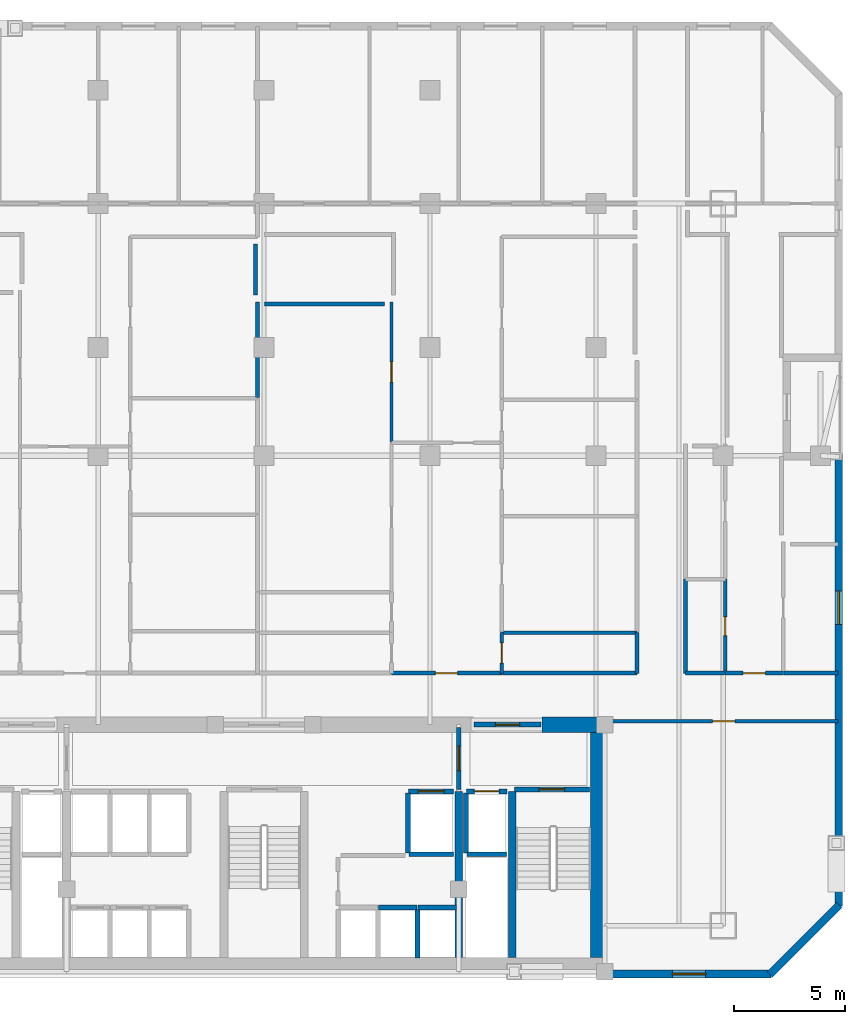
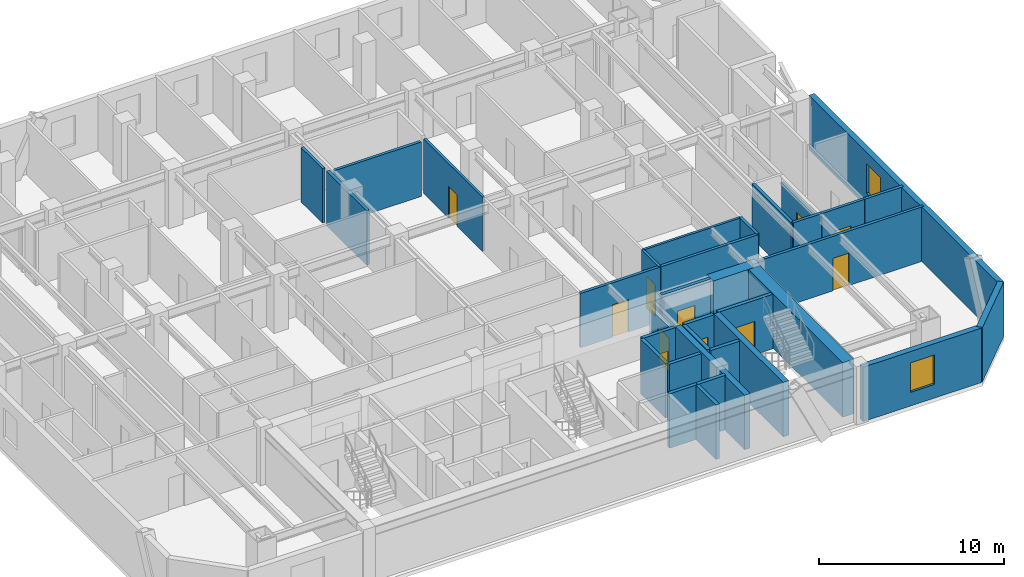
# One storey, part 5 of 10: 34 walls, 11 doors, 2 windows, 13 openings.
"""IFC4 building model written with IfcOpenShell, lengths in metres."""

from ifc_helpers import new_model, si_unit, direction, frame, frame_2d, origin, place, context, subcontext, project, spatial, rectangle, extrude, material, layer, layer_set, type_object, element, fill, save


model = new_model("IFC4")

# Units and contexts
model_context = context("Model", 3, precision=1e-05, world=origin(), true_north=direction((0.0, 1.0)))
body_context = subcontext(model_context, "Body", "Model", "MODEL_VIEW")
ifc_project = project(units=[si_unit("LENGTHUNIT", "METRE"), si_unit("AREAUNIT", "SQUARE_METRE"), si_unit("VOLUMEUNIT", "CUBIC_METRE"), si_unit("PLANEANGLEUNIT", "RADIAN"), si_unit("MASSUNIT", "GRAM", prefix="KILO")], contexts=[model_context])

# Site, building, storey
site_placement = place(None, origin())
site = spatial("IfcSite", under=ifc_project, at=site_placement, CompositionType="ELEMENT")
building_placement = place(site_placement, origin())
building = spatial("IfcBuilding", under=site, at=building_placement, Name="Ventersveld Concourse Tower", CompositionType="ELEMENT")
storey_placement = place(building_placement, frame((0.0, 0.0, 96.449951171875)))
storey = spatial("IfcBuildingStorey", under=building, at=storey_placement, Name="L23", CompositionType="ELEMENT", Elevation=96.449951171875)

# Walls
ifc_material_1 = material(Name="Concrete C60/75", Category="concrete")
ifc_layer_1 = layer(ifc_material_1, 0.35009765625)
ifc_layer_set_1 = layer_set([ifc_layer_1], Name="Concrete C60/75")
wall_type_1 = type_object("IfcWallType", Name="WL-CORE-350L", PredefinedType="SHEAR", material=ifc_layer_set_1)
for number, where, z_axis, x_axis, name in (
    (1, (37.550048828125, 0.919921875, 0.0), (0.0, 0.0, 1.0), (0.0, 1.0, 0.0), "L23 Core Internal Shear Web W-SVL-W"),
    (2, (39.9599609375, 0.919921875, 0.0), (0.0, 0.0, 1.0), (0.0, 1.0, 0.0), "L23 Core Internal Shear Web W-ST2-W"),
):
    element("IfcWall", number, at=place(storey_placement, frame(where, z_axis=z_axis, x_axis=x_axis)), inside=storey, type_object=wall_type_1, Name=name, PredefinedType="SHEAR", context=body_context, shape_type="SweptSolid", body=[
        extrude(rectangle(XDim=7.5, YDim=0.35009765625, at=frame_2d((3.75, 0.0))), origin(), (0.0, 0.0, 1.0), 3.60009765625),
    ])
ifc_layer_2 = layer(ifc_material_1, 0.699951171875)
ifc_layer_set_2 = layer_set([ifc_layer_2], Name="Concrete C60/75")
wall_type_2 = type_object("IfcWallType", Name="WL-CORE-700", PredefinedType="SHEAR", material=ifc_layer_set_2)
wall_1_placement = place(storey_placement, frame((43.85009765625, 0.919921875, 0.0), z_axis=(0.0, 0.0, 1.0), x_axis=(0.0, 1.0, 0.0)))
element("IfcWall", 3, at=wall_1_placement, inside=storey, type_object=wall_type_2, Name="L23 Rear Core East Shear Wall", PredefinedType="SHEAR", context=body_context, shape_type="SweptSolid", body=[
    extrude(rectangle(XDim=10.530029296875, YDim=0.699951171875, at=frame_2d((5.26513671875, 0.0))), origin(), (0.0, 0.0, 1.0), 3.60009765625),
])
wall_2_placement = place(storey_placement, frame((41.300048828125, 11.449951171875, 0.0), z_axis=(0.0, 0.0, 1.0), x_axis=(1.0, 0.0, 0.0)))
element("IfcWall", 4, at=wall_2_placement, inside=storey, type_object=wall_type_2, Name="L23 Rear Core North Shear Wall NE", PredefinedType="SHEAR", context=body_context, shape_type="SweptSolid", body=[
    extrude(rectangle(XDim=2.949951171875, YDim=0.699951171875, at=frame_2d((1.47509765625, 0.0))), origin(), (0.0, 0.0, 1.0), 3.60009765625),
])

# Wall, opening, door
ifc_material_2 = material(Name="Fire-rated autoclaved aerated masonry blockwork", Category="masonry")
ifc_layer_3 = layer(ifc_material_2, 0.179931640625)
ifc_layer_set_3 = layer_set([ifc_layer_3], Name="Fire-rated autoclaved aerated masonry blockwork")
wall_type_3 = type_object("IfcWallType", Name="WL-CORR-180", PredefinedType="PARTITIONING", material=ifc_layer_set_3)
wall_3_placement = place(storey_placement, frame((44.35498046875, 11.60009765625, 0.0), z_axis=(0.0, 0.0, 1.0), x_axis=(1.0, 0.0, 0.0)))
wall_3 = element("IfcWall", 5, at=wall_3_placement, inside=storey, type_object=wall_type_3, Name="L23 Interior Partition SP-L23-SE-OFF-SP-L23-COR", PredefinedType="PARTITIONING", context=body_context, shape_type="SweptSolid", body=[
    extrude(rectangle(XDim=10.3349609375, YDim=0.179931640625, at=frame_2d((5.16748046875, 0.0))), origin(), (0.0, 0.0, 1.0), 3.60009765625),
])
opening_1_placement = place(wall_3_placement, frame((4.66748046875, 0.0, 0.0)))
opening_1 = element("IfcOpeningElement", 6, at=opening_1_placement, cuts=wall_3, Name="Opening FD3", PredefinedType="OPENING", context=body_context, shape_type="SweptSolid", body=[
    extrude(rectangle(XDim=1.0, YDim=2.14990234375, at=frame_2d((0.5, 1.074951171875))), frame((0.0, 0.10009765625, 0.0), z_axis=(0.0, -1.0, 0.0), x_axis=(1.0, 0.0, 0.0)), (0.0, 0.0, 1.0), 0.199951171875),
])
ifc_material_3 = material(Name="Solid-core hardwood veneer timber", Category="wood")
door_type_1 = type_object("IfcDoorType", Name="DR-FLAT-100", OperationType="NOTDEFINED", PredefinedType="DOOR", material=ifc_material_3)
door_1_placement = place(opening_1_placement, origin())
door_1 = element("IfcDoor", 7, at=door_1_placement, inside=storey, type_object=door_type_1, Name="L23 Interior Door SP-L23-SE-OFF to SP-L23-COR (D-L23-1117)", OperationType="SINGLE_SWING_LEFT", OverallHeight=2.14990234375, OverallWidth=1.0, PredefinedType="DOOR", context=body_context, shape_type="SweptSolid", body=[
    extrude(rectangle(XDim=1.0, YDim=2.14990234375, at=frame_2d((0.5, 1.074951171875))), frame((0.0, 0.02490234375, 0.0), z_axis=(0.0, -1.0, 0.0), x_axis=(1.0, 0.0, 0.0)), (0.0, 0.0, 1.0), 0.050048828125),
])
fill(opening_1, door_1)

wall_4_placement = place(storey_placement, frame((49.586669921875, 13.77001953125, 0.0), z_axis=(0.0, 0.0, 1.0), x_axis=(1.0, 0.0, 0.0)))
wall_4 = element("IfcWall", 8, at=wall_4_placement, inside=storey, type_object=wall_type_3, Name="L23 Interior Partition SP-L23-COR-SP-L23-23NE-LIV", PredefinedType="PARTITIONING", context=body_context, shape_type="SweptSolid", body=[
    extrude(rectangle(XDim=2.635986328125, YDim=0.179931640625, at=frame_2d((1.31787109375, 0.0))), origin(), (0.0, 0.0, 1.0), 3.60009765625),
])
opening_2_placement = place(wall_4_placement, frame((0.818115234375, 0.0, 0.0)))
opening_2 = element("IfcOpeningElement", 9, at=opening_2_placement, cuts=wall_4, Name="Opening FD3", PredefinedType="OPENING", context=body_context, shape_type="SweptSolid", body=[
    extrude(rectangle(XDim=1.0, YDim=2.14990234375, at=frame_2d((0.5, 1.074951171875))), frame((0.0, 0.10009765625, 0.0), z_axis=(0.0, -1.0, 0.0), x_axis=(1.0, 0.0, 0.0)), (0.0, 0.0, 1.0), 0.199951171875),
])
door_2_placement = place(opening_2_placement, origin())
door_2 = element("IfcDoor", 10, at=door_2_placement, inside=storey, type_object=door_type_1, Name="L23 Interior Door SP-L23-COR to SP-L23-23NE-LIV (FD-L23-1119)", OperationType="SINGLE_SWING_LEFT", OverallHeight=2.14990234375, OverallWidth=1.0, PredefinedType="DOOR", context=body_context, shape_type="SweptSolid", body=[
    extrude(rectangle(XDim=1.0, YDim=2.14990234375, at=frame_2d((0.5, 1.074951171875))), frame((0.0, 0.02490234375, 0.0), z_axis=(0.0, -1.0, 0.0), x_axis=(1.0, 0.0, 0.0)), (0.0, 0.0, 1.0), 0.050048828125),
])
fill(opening_2, door_2)

# Walls
wall_5_placement = place(storey_placement, frame((47.7900390625, 13.764892578125, 0.0), z_axis=(0.0, 0.0, 1.0), x_axis=(0.0, 1.0, 0.0)))
element("IfcWall", 11, at=wall_5_placement, inside=storey, type_object=wall_type_3, Name="L23 Interior Partition SP-L23-COR-SP-L23-23NE-BATH", PredefinedType="PARTITIONING", context=body_context, shape_type="SweptSolid", body=[
    extrude(rectangle(XDim=4.26025390625, YDim=0.179931640625, at=frame_2d((2.130126953125, 0.0))), origin(), (0.0, 0.0, 1.0), 3.60009765625),
])
wall_6_placement = place(storey_placement, frame((47.784912109375, 13.77001953125, 0.0), z_axis=(0.0, 0.0, 1.0), x_axis=(1.0, 0.0, 0.0)))
element("IfcWall", 12, at=wall_6_placement, inside=storey, type_object=wall_type_3, Name="L23 Interior Partition SP-L23-COR-SP-L23-23NE-BATH", PredefinedType="PARTITIONING", context=body_context, shape_type="SweptSolid", body=[
    extrude(rectangle(XDim=1.771728515625, YDim=0.179931640625, at=frame_2d((0.8857421875, 0.0))), origin(), (0.0, 0.0, 1.0), 3.60009765625),
])
wall_7_placement = place(storey_placement, frame((52.252685546875, 13.77001953125, 0.0), z_axis=(0.0, 0.0, 1.0), x_axis=(1.0, 0.0, 0.0)))
element("IfcWall", 13, at=wall_7_placement, inside=storey, type_object=wall_type_3, Name="L23 Interior Partition SP-L23-COR-SP-L23-23NE-KIT", PredefinedType="PARTITIONING", context=body_context, shape_type="SweptSolid", body=[
    extrude(rectangle(XDim=2.437255859375, YDim=0.179931640625, at=frame_2d((1.21875, 0.0))), origin(), (0.0, 0.0, 1.0), 3.60009765625),
])

# Wall, opening, door
wall_8_placement = place(storey_placement, frame((34.501220703125, 13.77001953125, 0.0), z_axis=(0.0, 0.0, 1.0), x_axis=(1.0, 0.0, 0.0)))
wall_8 = element("IfcWall", 14, at=wall_8_placement, inside=storey, type_object=wall_type_3, Name="L23 Interior Partition SP-L23-COR-SP-L23-23N2-FOY", PredefinedType="PARTITIONING", context=body_context, shape_type="SweptSolid", body=[
    extrude(rectangle(XDim=4.989990234375, YDim=0.179931640625, at=frame_2d((2.4951171875, 0.0))), origin(), (0.0, 0.0, 1.0), 3.60009765625),
])
opening_3_placement = place(wall_8_placement, frame((1.9951171875, 0.0, 0.0)))
opening_3 = element("IfcOpeningElement", 15, at=opening_3_placement, cuts=wall_8, Name="Opening FD3", PredefinedType="OPENING", context=body_context, shape_type="SweptSolid", body=[
    extrude(rectangle(XDim=1.0, YDim=2.14990234375, at=frame_2d((0.5, 1.074951171875))), frame((0.0, 0.10009765625, 0.0), z_axis=(0.0, -1.0, 0.0), x_axis=(1.0, 0.0, 0.0)), (0.0, 0.0, 1.0), 0.199951171875),
])
door_3_placement = place(opening_3_placement, origin())
door_3 = element("IfcDoor", 16, at=door_3_placement, inside=storey, type_object=door_type_1, Name="L23 Interior Door SP-L23-COR to SP-L23-23N2-FOY (FD-L23-1121)", OperationType="SINGLE_SWING_LEFT", OverallHeight=2.14990234375, OverallWidth=1.0, PredefinedType="DOOR", context=body_context, shape_type="SweptSolid", body=[
    extrude(rectangle(XDim=1.0, YDim=2.14990234375, at=frame_2d((0.5, 1.074951171875))), frame((0.0, 0.02490234375, 0.0), z_axis=(0.0, -1.0, 0.0), x_axis=(1.0, 0.0, 0.0)), (0.0, 0.0, 1.0), 0.050048828125),
])
fill(opening_3, door_3)

# Walls
wall_9_placement = place(storey_placement, frame((39.52099609375, 13.77001953125, 0.0), z_axis=(0.0, 0.0, 1.0), x_axis=(1.0, 0.0, 0.0)))
element("IfcWall", 17, at=wall_9_placement, inside=storey, type_object=wall_type_3, Name="L23 Interior Partition SP-L23-COR-SP-L23-23N2-KIT", PredefinedType="PARTITIONING", context=body_context, shape_type="SweptSolid", body=[
    extrude(rectangle(XDim=6.093994140625, YDim=0.179931640625, at=frame_2d((3.046875, 0.0))), origin(), (0.0, 0.0, 1.0), 3.60009765625),
])
wall_10_placement = place(storey_placement, frame((45.610107421875, 13.764892578125, 0.0), z_axis=(0.0, 0.0, 1.0), x_axis=(0.0, 1.0, 0.0)))
element("IfcWall", 18, at=wall_10_placement, inside=storey, type_object=wall_type_3, Name="L23 Interior Partition SP-L23-COR-SP-L23-23N2-KIT", PredefinedType="PARTITIONING", context=body_context, shape_type="SweptSolid", body=[
    extrude(rectangle(XDim=1.840087890625, YDim=0.179931640625, at=frame_2d((0.919921875, 0.0))), origin(), (0.0, 0.0, 1.0), 3.60009765625),
])
wall_11_placement = place(storey_placement, frame((28.36279296875, 33.175048828125, 0.0), z_axis=(0.0, 0.0, 1.0), x_axis=(0.0, -1.0, 0.0)))
element("IfcWall", 19, at=wall_11_placement, inside=storey, type_object=wall_type_3, Name="L23 Room Enclosure Wall SP-L23-23N1-DENS2", PredefinedType="PARTITIONING", context=body_context, shape_type="SweptSolid", body=[
    extrude(rectangle(XDim=2.304931640625, YDim=0.179931640625, at=frame_2d((1.15234375, 0.0))), origin(), (0.0, 0.0, 1.0), 3.60009765625),
])
wall_12_placement = place(storey_placement, frame((28.77783203125, 30.460205078125, 0.0), z_axis=(0.0, 0.0, 1.0), x_axis=(1.0, 0.0, 0.0)))
element("IfcWall", 20, at=wall_12_placement, inside=storey, type_object=wall_type_3, Name="L23 Room Enclosure Wall SP-L23-23N2-DENL", PredefinedType="PARTITIONING", context=body_context, shape_type="SweptSolid", body=[
    extrude(rectangle(XDim=5.4033203125, YDim=0.179931640625, at=frame_2d((2.70166015625, 0.0))), origin(), (0.0, 0.0, 1.0), 3.60009765625),
])
ifc_layer_4 = layer(ifc_material_2, 0.199951171875)
ifc_layer_set_4 = layer_set([ifc_layer_4], Name="Fire-rated autoclaved aerated masonry blockwork")
wall_type_4 = type_object("IfcWallType", Name="WL-DEMISE-200", PredefinedType="PARTITIONING", material=ifc_layer_set_4)
wall_13_placement = place(storey_placement, frame((28.452880859375, 26.233642578125, 0.0), z_axis=(0.0, 0.0, 1.0), x_axis=(0.0, 1.0, 0.0)))
element("IfcWall", 21, at=wall_13_placement, inside=storey, type_object=wall_type_4, Name="L23 Interior Partition SP-L23-23N1-DENS2-SP-L23-23N2-DENL", PredefinedType="PARTITIONING", context=body_context, shape_type="SweptSolid", body=[
    extrude(rectangle(XDim=4.321533203125, YDim=0.199951171875, at=frame_2d((2.16064453125, 0.0))), origin(), (0.0, 0.0, 1.0), 3.60009765625),
])
ifc_layer_5 = layer(ifc_material_2, 0.219970703125)
ifc_layer_set_5 = layer_set([ifc_layer_5], Name="Fire-rated autoclaved aerated masonry blockwork")
wall_type_5 = type_object("IfcWallType", Name="WL-HOIST-220", PredefinedType="SOLIDWALL", material=ifc_layer_set_5)
wall_14_placement = place(storey_placement, frame((37.919921875, 5.590087890625, 0.0), z_axis=(0.0, 0.0, 1.0), x_axis=(1.0, 0.0, 0.0)))
element("IfcWall", 22, at=wall_14_placement, inside=storey, type_object=wall_type_5, Name="L23 Lift Hoistway Back Wall FFL-02", PredefinedType="SOLIDWALL", context=body_context, shape_type="SweptSolid", body=[
    extrude(rectangle(XDim=1.780029296875, YDim=0.219970703125, at=frame_2d((0.89013671875, 0.0))), origin(), (0.0, 0.0, 1.0), 3.60009765625),
])
wall_15_placement = place(storey_placement, frame((37.8798828125, 5.64990234375, 0.0), z_axis=(0.0, 0.0, 1.0), x_axis=(0.0, 1.0, 0.0)))
element("IfcWall", 23, at=wall_15_placement, inside=storey, type_object=wall_type_5, Name="L23 Lift Hoistway Side Wall FFL-02W", PredefinedType="SOLIDWALL", context=body_context, shape_type="SweptSolid", body=[
    extrude(rectangle(XDim=2.7001953125, YDim=0.219970703125, at=frame_2d((1.35009765625, 0.0))), origin(), (0.0, 0.0, 1.0), 3.60009765625),
])

# Wall, opening, door
wall_16_placement = place(storey_placement, frame((37.89990234375, 8.429931640625, 0.0), z_axis=(0.0, 0.0, 1.0), x_axis=(1.0, 0.0, 0.0)))
wall_16 = element("IfcWall", 24, at=wall_16_placement, inside=storey, type_object=wall_type_5, Name="L23 Lift Hoistway Front Wall FFL-02", PredefinedType="SOLIDWALL", context=body_context, shape_type="SweptSolid", body=[
    extrude(rectangle(XDim=1.820068359375, YDim=0.219970703125, at=frame_2d((0.91015625, 0.0))), origin(), (0.0, 0.0, 1.0), 3.60009765625),
])
opening_4_placement = place(wall_16_placement, frame((0.35009765625, 0.0, 0.0)))
opening_4 = element("IfcOpeningElement", 25, at=opening_4_placement, cuts=wall_16, Name="Opening LD1", PredefinedType="OPENING", context=body_context, shape_type="SweptSolid", body=[
    extrude(rectangle(XDim=1.1201171875, YDim=2.25, at=frame_2d((0.56005859375, 1.125))), frame((0.0, 0.1201171875, 0.0), z_axis=(0.0, -1.0, 0.0), x_axis=(1.0, 0.0, 0.0)), (0.0, 0.0, 1.0), 0.239990234375),
])
ifc_material_4 = material(Name="Brushed stainless steel 316", Category="steel")
door_type_2 = type_object("IfcDoorType", Name="LD-FF-112", OperationType="SLIDING_TO_LEFT", PredefinedType="DOOR", material=ifc_material_4)
door_4_placement = place(opening_4_placement, origin())
door_4 = element("IfcDoor", 26, at=door_4_placement, inside=storey, type_object=door_type_2, Name="L23 Lift landing door FFL-02 (LD-L23-FFL-02)", OperationType="SLIDING_TO_RIGHT", OverallHeight=2.25, OverallWidth=1.1201171875, PredefinedType="DOOR", context=body_context, shape_type="SweptSolid", body=[
    extrude(rectangle(XDim=1.1201171875, YDim=2.25, at=frame_2d((0.56005859375, 1.125))), frame((0.0, 0.02490234375, 0.0), z_axis=(0.0, -1.0, 0.0), x_axis=(1.0, 0.0, 0.0)), (0.0, 0.0, 1.0), 0.050048828125),
])
fill(opening_4, door_4)

# Walls
wall_17_placement = place(storey_placement, frame((35.300048828125, 5.590087890625, 0.0), z_axis=(0.0, 0.0, 1.0), x_axis=(1.0, 0.0, 0.0)))
element("IfcWall", 27, at=wall_17_placement, inside=storey, type_object=wall_type_5, Name="L23 Lift Hoistway Back Wall SVL-01", PredefinedType="SOLIDWALL", context=body_context, shape_type="SweptSolid", body=[
    extrude(rectangle(XDim=2.0, YDim=0.219970703125, at=frame_2d((1.0, 0.0))), origin(), (0.0, 0.0, 1.0), 3.60009765625),
])
wall_18_placement = place(storey_placement, frame((35.260009765625, 5.64990234375, 0.0), z_axis=(0.0, 0.0, 1.0), x_axis=(0.0, 1.0, 0.0)))
element("IfcWall", 28, at=wall_18_placement, inside=storey, type_object=wall_type_5, Name="L23 Lift Hoistway Side Wall SVL-01W", PredefinedType="SOLIDWALL", context=body_context, shape_type="SweptSolid", body=[
    extrude(rectangle(XDim=2.7001953125, YDim=0.219970703125, at=frame_2d((1.35009765625, 0.0))), origin(), (0.0, 0.0, 1.0), 3.60009765625),
])

# Wall, opening, door
wall_19_placement = place(storey_placement, frame((35.280029296875, 8.429931640625, 0.0), z_axis=(0.0, 0.0, 1.0), x_axis=(1.0, 0.0, 0.0)))
wall_19 = element("IfcWall", 29, at=wall_19_placement, inside=storey, type_object=wall_type_5, Name="L23 Lift Hoistway Front Wall SVL-01", PredefinedType="SOLIDWALL", context=body_context, shape_type="SweptSolid", body=[
    extrude(rectangle(XDim=2.0400390625, YDim=0.219970703125, at=frame_2d((1.02001953125, 0.0))), origin(), (0.0, 0.0, 1.0), 3.60009765625),
])
opening_5_placement = place(wall_19_placement, frame((0.429931640625, 0.0, 0.0)))
opening_5 = element("IfcOpeningElement", 30, at=opening_5_placement, cuts=wall_19, Name="Opening LD2", PredefinedType="OPENING", context=body_context, shape_type="SweptSolid", body=[
    extrude(rectangle(XDim=1.179931640625, YDim=2.199951171875, at=frame_2d((0.58984375, 1.10009765625))), frame((0.0, 0.1201171875, 0.0), z_axis=(0.0, -1.0, 0.0), x_axis=(1.0, 0.0, 0.0)), (0.0, 0.0, 1.0), 0.239990234375),
])
door_type_3 = type_object("IfcDoorType", Name="LD-PAX-118", OperationType="SLIDING_TO_LEFT", PredefinedType="DOOR", material=ifc_material_4)
door_5_placement = place(opening_5_placement, origin())
door_5 = element("IfcDoor", 31, at=door_5_placement, inside=storey, type_object=door_type_3, Name="L23 Lift landing door SVL-01 (LD-L23-SVL-01)", OperationType="SLIDING_TO_LEFT", OverallHeight=2.199951171875, OverallWidth=1.179931640625, PredefinedType="DOOR", context=body_context, shape_type="SweptSolid", body=[
    extrude(rectangle(XDim=1.179931640625, YDim=2.199951171875, at=frame_2d((0.58984375, 1.10009765625))), frame((0.0, 0.02490234375, 0.0), z_axis=(0.0, -1.0, 0.0), x_axis=(1.0, 0.0, 0.0)), (0.0, 0.0, 1.0), 0.050048828125),
])
fill(opening_5, door_5)

# Walls
wall_20_placement = place(storey_placement, frame((35.679931640625, 0.89990234375, 0.0), z_axis=(0.0, 0.0, 1.0), x_axis=(0.0, 1.0, 0.0)))
element("IfcWall", 32, at=wall_20_placement, inside=storey, type_object=wall_type_5, Name="L23 Lift Hoistway Side Wall PM-02E", PredefinedType="SOLIDWALL", context=body_context, shape_type="SweptSolid", body=[
    extrude(rectangle(XDim=2.2001953125, YDim=0.219970703125, at=frame_2d((1.10009765625, 0.0))), origin(), (0.0, 0.0, 1.0), 3.60009765625),
])
for number, where, z_axis, x_axis, name in (
    (33, (33.919921875, 3.179931640625, 0.0), (0.0, 0.0, 1.0), (1.0, 0.0, 0.0), "L23 Lift Hoistway Front Wall PM-02"),
    (34, (35.699951171875, 3.179931640625, 0.0), (0.0, 0.0, 1.0), (1.0, 0.0, 0.0), "L23 Lift Hoistway Front Wall PM-03"),
):
    element("IfcWall", number, at=place(storey_placement, frame(where, z_axis=z_axis, x_axis=x_axis)), inside=storey, type_object=wall_type_5, Name=name, PredefinedType="SOLIDWALL", context=body_context, shape_type="SweptSolid", body=[
        extrude(rectangle(XDim=1.739990234375, YDim=0.219970703125, at=frame_2d((0.8701171875, 0.0))), origin(), (0.0, 0.0, 1.0), 3.60009765625),
    ])

# Wall, opening, door
wall_21_placement = place(storey_placement, frame((40.06005859375, 8.52001953125, 0.0), z_axis=(0.0, 0.0, 1.0), x_axis=(1.0, 0.0, 0.0)))
wall_21 = element("IfcWall", 35, at=wall_21_placement, inside=storey, type_object=wall_type_5, Name="L23 Escape Stair ST02 Fire Wall", PredefinedType="SOLIDWALL", context=body_context, shape_type="SweptSolid", body=[
    extrude(rectangle(XDim=3.39990234375, YDim=0.219970703125, at=frame_2d((1.699951171875, 0.0))), origin(), (0.0, 0.0, 1.0), 3.60009765625),
])
opening_6_placement = place(wall_21_placement, frame((1.125, 0.0, 0.0)))
opening_6 = element("IfcOpeningElement", 36, at=opening_6_placement, cuts=wall_21, Name="Opening FD1", PredefinedType="OPENING", context=body_context, shape_type="SweptSolid", body=[
    extrude(rectangle(XDim=1.14990234375, YDim=2.199951171875, at=frame_2d((0.574951171875, 1.10009765625))), frame((0.0, 0.1201171875, 0.0), z_axis=(0.0, -1.0, 0.0), x_axis=(1.0, 0.0, 0.0)), (0.0, 0.0, 1.0), 0.239990234375),
])
ifc_material_5 = material(Name="Galvanised painted steel", Category="steel")
door_type_4 = type_object("IfcDoorType", Name="DR-STAIR-115", OperationType="NOTDEFINED", PredefinedType="DOOR", material=ifc_material_5)
door_6_placement = place(opening_6_placement, origin())
door_6 = element("IfcDoor", 37, at=door_6_placement, inside=storey, type_object=door_type_4, Name="L23 Escape Stair Door ST02 (SD-L23-1108)", OperationType="SINGLE_SWING_RIGHT", OverallHeight=2.199951171875, OverallWidth=1.14990234375, PredefinedType="DOOR", context=body_context, shape_type="SweptSolid", body=[
    extrude(rectangle(XDim=1.14990234375, YDim=2.199951171875, at=frame_2d((0.574951171875, 1.10009765625))), frame((0.0, 0.02490234375, 0.0), z_axis=(0.0, -1.0, 0.0), x_axis=(1.0, 0.0, 0.0)), (0.0, 0.0, 1.0), 0.050048828125),
])
fill(opening_6, door_6)

wall_22_placement = place(storey_placement, frame((37.550048828125, 8.52001953125, 0.0), z_axis=(0.0, 0.0, 1.0), x_axis=(0.0, 1.0, 0.0)))
wall_22 = element("IfcWall", 38, at=wall_22_placement, inside=storey, type_object=wall_type_5, Name="L23 Firefighting Lobby Smoke-Stop Wall FFLE-SEP", PredefinedType="SOLIDWALL", context=body_context, shape_type="SweptSolid", body=[
    extrude(rectangle(XDim=2.800048828125, YDim=0.219970703125, at=frame_2d((1.39990234375, 0.0))), origin(), (0.0, 0.0, 1.0), 3.0556640625),
])
opening_7_placement = place(wall_22_placement, frame((0.85009765625, 0.0, 0.0)))
opening_7 = element("IfcOpeningElement", 39, at=opening_7_placement, cuts=wall_22, Name="Opening FD2", PredefinedType="OPENING", context=body_context, shape_type="SweptSolid", body=[
    extrude(rectangle(XDim=1.10009765625, YDim=2.199951171875, at=frame_2d((0.550048828125, 1.10009765625))), frame((0.0, 0.1201171875, 0.0), z_axis=(0.0, -1.0, 0.0), x_axis=(1.0, 0.0, 0.0)), (0.0, 0.0, 1.0), 0.239990234375),
])
door_type_5 = type_object("IfcDoorType", Name="DR-FFL-110", OperationType="NOTDEFINED", PredefinedType="DOOR", material=ifc_material_5)
door_7_placement = place(opening_7_placement, origin())
door_7 = element("IfcDoor", 40, at=door_7_placement, inside=storey, type_object=door_type_5, Name="L23 Firefighting Lobby Door FFLE-SEP (FD-L23-1111)", OperationType="SINGLE_SWING_RIGHT", OverallHeight=2.199951171875, OverallWidth=1.10009765625, PredefinedType="DOOR", context=body_context, shape_type="SweptSolid", body=[
    extrude(rectangle(XDim=1.10009765625, YDim=2.199951171875, at=frame_2d((0.550048828125, 1.10009765625))), frame((0.0, 0.02490234375, 0.0), z_axis=(0.0, -1.0, 0.0), x_axis=(1.0, 0.0, 0.0)), (0.0, 0.0, 1.0), 0.050048828125),
])
fill(opening_7, door_7)

wall_23_placement = place(storey_placement, frame((38.22998046875, 11.449951171875, 0.0), z_axis=(0.0, 0.0, 1.0), x_axis=(1.0, 0.0, 0.0)))
wall_23 = element("IfcWall", 41, at=wall_23_placement, inside=storey, type_object=wall_type_5, Name="L23 Core North Fire Portal FFLE-OUT", PredefinedType="SOLIDWALL", context=body_context, shape_type="SweptSolid", body=[
    extrude(rectangle(XDim=3.0400390625, YDim=0.219970703125, at=frame_2d((1.52001953125, 0.0))), origin(), (0.0, 0.0, 1.0), 3.60009765625),
])
opening_8_placement = place(wall_23_placement, frame((0.969970703125, 0.0, 0.0)))
opening_8 = element("IfcOpeningElement", 42, at=opening_8_placement, cuts=wall_23, Name="Opening FD2", PredefinedType="OPENING", context=body_context, shape_type="SweptSolid", body=[
    extrude(rectangle(XDim=1.10009765625, YDim=2.199951171875, at=frame_2d((0.550048828125, 1.10009765625))), frame((0.0, 0.1201171875, 0.0), z_axis=(0.0, -1.0, 0.0), x_axis=(1.0, 0.0, 0.0)), (0.0, 0.0, 1.0), 0.239990234375),
])
door_8_placement = place(opening_8_placement, origin())
door_8 = element("IfcDoor", 43, at=door_8_placement, inside=storey, type_object=door_type_5, Name="L23 Core Lobby Fire Door FFLE-OUT (FD-L23-1114)", OperationType="SINGLE_SWING_LEFT", OverallHeight=2.199951171875, OverallWidth=1.10009765625, PredefinedType="DOOR", context=body_context, shape_type="SweptSolid", body=[
    extrude(rectangle(XDim=1.10009765625, YDim=2.199951171875, at=frame_2d((0.550048828125, 1.10009765625))), frame((0.0, 0.02490234375, 0.0), z_axis=(0.0, -1.0, 0.0), x_axis=(1.0, 0.0, 0.0)), (0.0, 0.0, 1.0), 0.050048828125),
])
fill(opening_8, door_8)

ifc_material_6 = material(Name="Autoclaved aerated masonry blockwork", Category="masonry")
ifc_layer_6 = layer(ifc_material_6, 0.14990234375)
ifc_layer_set_6 = layer_set([ifc_layer_6], Name="Autoclaved aerated masonry blockwork")
wall_type_6 = type_object("IfcWallType", Name="WL-INT-150", PredefinedType="PARTITIONING", material=ifc_layer_set_6)
wall_24_placement = place(storey_placement, frame((39.486083984375, 13.764892578125, 0.0), z_axis=(0.0, 0.0, 1.0), x_axis=(0.0, 1.0, 0.0)))
wall_24 = element("IfcWall", 44, at=wall_24_placement, inside=storey, type_object=wall_type_6, Name="L23 Interior Partition SP-L23-23N2-FOY-SP-L23-23N2-KIT", PredefinedType="PARTITIONING", context=body_context, shape_type="SweptSolid", body=[
    extrude(rectangle(XDim=1.840087890625, YDim=0.14990234375, at=frame_2d((0.919921875, 0.0))), origin(), (0.0, 0.0, 1.0), 3.60009765625),
])
opening_9_placement = place(wall_24_placement, frame((0.4599609375, 0.0, 0.0)))
opening_9 = element("IfcOpeningElement", 45, at=opening_9_placement, cuts=wall_24, Name="Opening ID1", PredefinedType="OPENING", context=body_context, shape_type="SweptSolid", body=[
    extrude(rectangle(XDim=0.919921875, YDim=2.10009765625, at=frame_2d((0.4599609375, 1.050048828125))), frame((0.0, 0.0849609375, 0.0), z_axis=(0.0, -1.0, 0.0), x_axis=(1.0, 0.0, 0.0)), (0.0, 0.0, 1.0), 0.169921875),
])
door_type_6 = type_object("IfcDoorType", Name="DR-ROOM-092", OperationType="NOTDEFINED", PredefinedType="DOOR", material=ifc_material_3)
door_9_placement = place(opening_9_placement, origin())
door_9 = element("IfcDoor", 46, at=door_9_placement, inside=storey, type_object=door_type_6, Name="L23 Interior Door SP-L23-23N2-FOY to SP-L23-23N2-KIT (D-L23-1150)", OperationType="SINGLE_SWING_RIGHT", OverallHeight=2.10009765625, OverallWidth=0.919921875, PredefinedType="DOOR", context=body_context, shape_type="SweptSolid", body=[
    extrude(rectangle(XDim=0.919921875, YDim=2.10009765625, at=frame_2d((0.4599609375, 1.050048828125))), frame((0.0, 0.02490234375, 0.0), z_axis=(0.0, -1.0, 0.0), x_axis=(1.0, 0.0, 0.0)), (0.0, 0.0, 1.0), 0.050048828125),
])
fill(opening_9, door_9)

wall_25_placement = place(storey_placement, frame((34.506103515625, 24.217041015625, 0.0), z_axis=(0.0, 0.0, 1.0), x_axis=(0.0, 1.0, 0.0)))
wall_25 = element("IfcWall", 47, at=wall_25_placement, inside=storey, type_object=wall_type_6, Name="L23 Interior Partition SP-L23-23N2-LIV-SP-L23-23N2-DENL", PredefinedType="PARTITIONING", context=body_context, shape_type="SweptSolid", body=[
    extrude(rectangle(XDim=6.338134765625, YDim=0.14990234375, at=frame_2d((3.1689453125, 0.0))), origin(), (0.0, 0.0, 1.0), 3.60009765625),
])
opening_10_placement = place(wall_25_placement, frame((2.708984375, 0.0, 0.0)))
opening_10 = element("IfcOpeningElement", 48, at=opening_10_placement, cuts=wall_25, Name="Opening ID1", PredefinedType="OPENING", context=body_context, shape_type="SweptSolid", body=[
    extrude(rectangle(XDim=0.919921875, YDim=2.10009765625, at=frame_2d((0.4599609375, 1.050048828125))), frame((0.0, 0.0849609375, 0.0), z_axis=(0.0, -1.0, 0.0), x_axis=(1.0, 0.0, 0.0)), (0.0, 0.0, 1.0), 0.169921875),
])
door_10_placement = place(opening_10_placement, origin())
door_10 = element("IfcDoor", 49, at=door_10_placement, inside=storey, type_object=door_type_6, Name="L23 Interior Door SP-L23-23N2-LIV to SP-L23-23N2-DENL (D-L23-1153)", OperationType="SINGLE_SWING_LEFT", OverallHeight=2.10009765625, OverallWidth=0.919921875, PredefinedType="DOOR", context=body_context, shape_type="SweptSolid", body=[
    extrude(rectangle(XDim=0.919921875, YDim=2.10009765625, at=frame_2d((0.4599609375, 1.050048828125))), frame((0.0, 0.02490234375, 0.0), z_axis=(0.0, -1.0, 0.0), x_axis=(1.0, 0.0, 0.0)), (0.0, 0.0, 1.0), 0.050048828125),
])
fill(opening_10, door_10)

# Wall
wall_26_placement = place(storey_placement, frame((39.481201171875, 15.60009765625, 0.0), z_axis=(0.0, 0.0, 1.0), x_axis=(1.0, 0.0, 0.0)))
element("IfcWall", 50, at=wall_26_placement, inside=storey, type_object=wall_type_6, Name="L23 Interior Partition SP-L23-23N2-KIT-SP-L23-23N2-DENR", PredefinedType="PARTITIONING", context=body_context, shape_type="SweptSolid", body=[
    extrude(rectangle(XDim=6.1337890625, YDim=0.14990234375, at=frame_2d((3.06689453125, 0.0))), origin(), (0.0, 0.0, 1.0), 3.60009765625),
])

# Wall, opening, window
ifc_material_7 = material(Name="Precast concrete C45/55", Category="concrete")
ifc_layer_7 = layer(ifc_material_7, 0.35009765625)
ifc_layer_set_7 = layer_set([ifc_layer_7], Name="Precast concrete C45/55")
wall_type_7 = type_object("IfcWallType", Name="WL-PREC-350", PredefinedType="SOLIDWALL", material=ifc_layer_set_7)
wall_27_placement = place(storey_placement, frame((44.25, 0.179931640625, 0.0), z_axis=(0.0, 0.0, 1.0), x_axis=(1.0, 0.0, 0.0)))
wall_27 = element("IfcWall", 51, at=wall_27_placement, inside=storey, type_object=wall_type_7, Name="L23 South-East Flank Precast Wall", PredefinedType="SOLIDWALL", context=body_context, shape_type="SweptSolid", body=[
    extrude(rectangle(XDim=7.409912109375, YDim=0.35009765625, at=frame_2d((3.705078125, 0.0))), origin(), (0.0, 0.0, 1.0), 3.60009765625),
])
opening_11_placement = place(wall_27_placement, frame((2.955078125, 0.0, 0.89990234375)))
opening_11 = element("IfcOpeningElement", 52, at=opening_11_placement, cuts=wall_27, Name="Opening W1", PredefinedType="OPENING", context=body_context, shape_type="SweptSolid", body=[
    extrude(rectangle(XDim=1.5, YDim=1.949951171875, at=frame_2d((0.75, 0.97509765625))), frame((0.0, 0.18505859375, 0.0), z_axis=(0.0, -1.0, 0.0), x_axis=(1.0, 0.0, 0.0)), (0.0, 0.0, 1.0), 0.3701171875),
])
ifc_material_8 = material(Name="Tempered acoustic Low-E IGU", Category="glass")
window_type = type_object("IfcWindowType", Name="WIN-150x210", PartitioningType="SINGLE_PANEL", PredefinedType="WINDOW", material=ifc_material_8)
window_1_placement = place(opening_11_placement, origin())
window_1 = element("IfcWindow", 53, at=window_1_placement, inside=storey, type_object=window_type, Name="L23 Punched Low-E Window W-0256", OverallHeight=1.949951171875, OverallWidth=1.5, PartitioningType="SINGLE_PANEL", PredefinedType="WINDOW", context=body_context, shape_type="SweptSolid", body=[
    extrude(rectangle(XDim=1.5, YDim=1.949951171875, at=frame_2d((0.75, 0.97509765625))), frame((0.0, 0.030029296875, 0.0), z_axis=(0.0, -1.0, 0.0), x_axis=(1.0, 0.0, 0.0)), (0.0, 0.0, 1.0), 0.06005859375),
])
fill(opening_11, window_1)

# Wall
wall_28_placement = place(storey_placement, frame((51.6044921875, 0.152099609375, 0.0), z_axis=(0.0, 0.0, 1.0), x_axis=(0.707134240044, 0.707079321262, 0.0)))
element("IfcWall", 54, at=wall_28_placement, inside=storey, type_object=wall_type_7, Name="L23 Highveld Precast Facade Wall E02", PredefinedType="SOLIDWALL", context=body_context, shape_type="SweptSolid", body=[
    extrude(rectangle(XDim=4.445556640625, YDim=0.35009765625, at=frame_2d((2.22265625, 0.0))), origin(), (0.0, 0.0, 1.0), 3.60009765625),
])

# Wall, opening, window
wall_29_placement = place(storey_placement, frame((54.72509765625, 3.239990234375, 0.0), z_axis=(0.0, 0.0, 1.0), x_axis=(0.0, 1.0, 0.0)))
wall_29 = element("IfcWall", 55, at=wall_29_placement, inside=storey, type_object=wall_type_7, Name="L23 Highveld Precast Facade Wall E03", PredefinedType="SOLIDWALL", context=body_context, shape_type="SweptSolid", body=[
    extrude(rectangle(XDim=20.469970703125, YDim=0.35009765625, at=frame_2d((10.23486328125, 0.0))), origin(), (0.0, 0.0, 1.0), 3.60009765625),
])
opening_12_placement = place(wall_29_placement, frame((12.740234375, 0.0, 0.89990234375)))
opening_12 = element("IfcOpeningElement", 56, at=opening_12_placement, cuts=wall_29, Name="Opening W1", PredefinedType="OPENING", context=body_context, shape_type="SweptSolid", body=[
    extrude(rectangle(XDim=1.5, YDim=1.949951171875, at=frame_2d((0.75, 0.97509765625))), frame((0.0, 0.18505859375, 0.0), z_axis=(0.0, -1.0, 0.0), x_axis=(1.0, 0.0, 0.0)), (0.0, 0.0, 1.0), 0.3701171875),
])
window_2_placement = place(opening_12_placement, origin())
window_2 = element("IfcWindow", 57, at=window_2_placement, inside=storey, type_object=window_type, Name="L23 Punched Low-E Window W-0262", OverallHeight=1.949951171875, OverallWidth=1.5, PartitioningType="SINGLE_PANEL", PredefinedType="WINDOW", context=body_context, shape_type="SweptSolid", body=[
    extrude(rectangle(XDim=1.5, YDim=1.949951171875, at=frame_2d((0.75, 0.97509765625))), frame((0.0, 0.030029296875, 0.0), z_axis=(0.0, -1.0, 0.0), x_axis=(1.0, 0.0, 0.0)), (0.0, 0.0, 1.0), 0.06005859375),
])
fill(opening_12, window_2)

# Wall, opening, door
ifc_layer_8 = layer(ifc_material_6, 0.1650390625)
ifc_layer_set_8 = layer_set([ifc_layer_8], Name="Autoclaved aerated masonry blockwork")
wall_type_8 = type_object("IfcWallType", Name="WL-WET-165", PredefinedType="PLUMBINGWALL", material=ifc_layer_set_8)
wall_30_placement = place(storey_placement, frame((49.591552734375, 13.764892578125, 0.0), z_axis=(0.0, 0.0, 1.0), x_axis=(0.0, 1.0, 0.0)))
wall_30 = element("IfcWall", 58, at=wall_30_placement, inside=storey, type_object=wall_type_8, Name="L23 Interior Partition SP-L23-23NE-LIV-SP-L23-23NE-BATH", PredefinedType="PLUMBINGWALL", context=body_context, shape_type="SweptSolid", body=[
    extrude(rectangle(XDim=4.26025390625, YDim=0.1650390625, at=frame_2d((2.130126953125, 0.0))), origin(), (0.0, 0.0, 1.0), 3.0556640625),
])
opening_13_placement = place(wall_30_placement, frame((1.705078125, 0.0, 0.0)))
opening_13 = element("IfcOpeningElement", 59, at=opening_13_placement, cuts=wall_30, Name="Opening ID2", PredefinedType="OPENING", context=body_context, shape_type="SweptSolid", body=[
    extrude(rectangle(XDim=0.85009765625, YDim=2.10009765625, at=frame_2d((0.425048828125, 1.050048828125))), frame((0.0, 0.092529296875, 0.0), z_axis=(0.0, -1.0, 0.0), x_axis=(1.0, 0.0, 0.0)), (0.0, 0.0, 1.0), 0.18505859375),
])
door_type_7 = type_object("IfcDoorType", Name="DR-BATH-085", OperationType="NOTDEFINED", PredefinedType="DOOR", material=ifc_material_3)
door_11_placement = place(opening_13_placement, origin())
door_11 = element("IfcDoor", 60, at=door_11_placement, inside=storey, type_object=door_type_7, Name="L23 Interior Door SP-L23-23NE-LIV to SP-L23-23NE-BATH (D-L23-1127)", OperationType="SINGLE_SWING_LEFT", OverallHeight=2.10009765625, OverallWidth=0.85009765625, PredefinedType="DOOR", context=body_context, shape_type="SweptSolid", body=[
    extrude(rectangle(XDim=0.85009765625, YDim=2.10009765625, at=frame_2d((0.425048828125, 1.050048828125))), frame((0.0, 0.02490234375, 0.0), z_axis=(0.0, -1.0, 0.0), x_axis=(1.0, 0.0, 0.0)), (0.0, 0.0, 1.0), 0.050048828125),
])
fill(opening_13, door_11)

save(model, "model.ifc")
